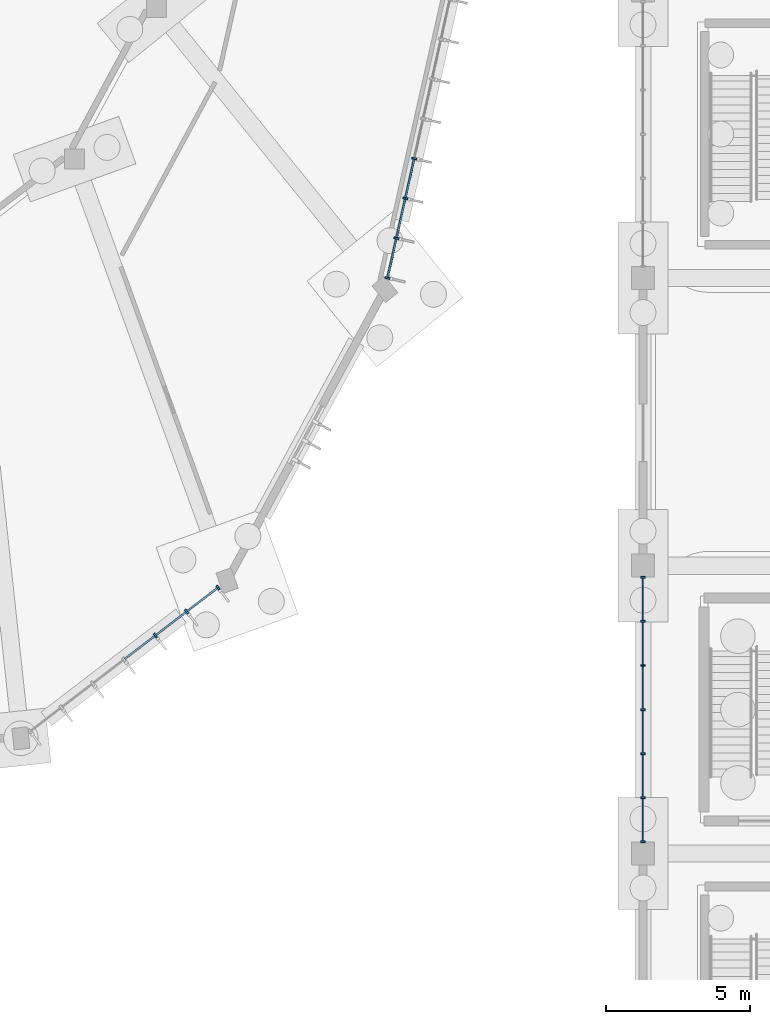
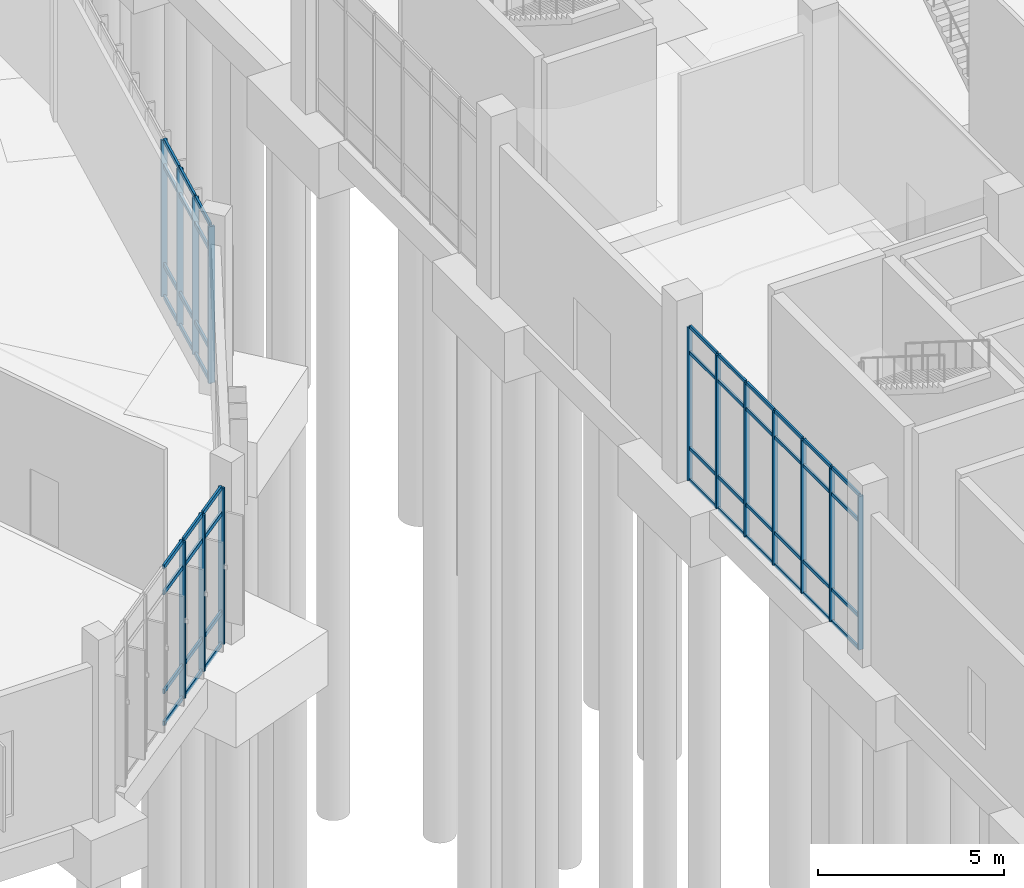
# One storey, part 43 of 140: 62 members, 3 elements without a shape of their own.
"""IFC4 building model written with IfcOpenShell, lengths in metres."""

from ifc_helpers import new_model, si_unit, direction, frame, origin, origin_2d, place, context, subcontext, project, spatial, rectangle, extrude, material, layer, layer_set, material_profile, profile_set, type_object, element, aggregate, save


model = new_model("IFC4")

# Units and contexts
model_context = context("Model", 3, precision=1e-05, world=origin(), true_north=direction((0.0, 1.0)))
body_context = subcontext(model_context, "Body", "Model", "MODEL_VIEW")
ifc_project = project(units=[si_unit("LENGTHUNIT", "METRE"), si_unit("AREAUNIT", "SQUARE_METRE"), si_unit("VOLUMEUNIT", "CUBIC_METRE"), si_unit("PLANEANGLEUNIT", "RADIAN"), si_unit("MASSUNIT", "GRAM", prefix="KILO")], contexts=[model_context])

# Site, building, storey
site_placement = place(None, origin())
site = spatial("IfcSite", under=ifc_project, at=site_placement, CompositionType="ELEMENT")
building_placement = place(site_placement, origin())
building = spatial("IfcBuilding", under=site, at=building_placement, Name="Corvandel Quay Wholesale Market", CompositionType="ELEMENT")
storey_placement = place(building_placement, origin())
storey = spatial("IfcBuildingStorey", under=building, at=storey_placement, Name="L00", CompositionType="ELEMENT", Elevation=0.0)

# Curtain wall, members
ifc_material_1 = material(Name="Bronze anodised aluminium and low-E insulated glazing", Category="aluminium")
ifc_layer_1 = layer(ifc_material_1, 0.197998046875)
ifc_layer_set_1 = layer_set([ifc_layer_1], Name="Bronze anodised aluminium and low-E insulated glazing")
curtain_wall_type_1 = type_object("IfcCurtainWallType", Name="Stick Curtain Wall System CW14 H4260", PredefinedType="NOTDEFINED", material=ifc_layer_set_1)
curtain_wall_1_placement = place(storey_placement, origin())
curtain_wall_1 = element("IfcCurtainWall", 1, at=curtain_wall_1_placement, inside=storey, type_object=curtain_wall_type_1, Name="Curtain Wall CW-0139", PredefinedType="NOTDEFINED")
ifc_material_2 = material(Name="Anodised aluminium 6063-T6", Category="aluminium")
ifc_material_profile_1 = material_profile(ifc_material_2, rectangle(XDim=0.06494140625, YDim=0.179931640625, at=origin_2d()), Name="ALU-MUL-65x180")
ifc_profile_set_1 = profile_set([ifc_material_profile_1], Name="Anodised aluminium 6063-T6")
member_type_1 = type_object("IfcMemberType", Name="Curtain Wall Mullion ML01 65x180", PredefinedType="MULLION", material=ifc_profile_set_1)
member_1_placement = place(storey_placement, frame((203.051025390625, 27.572998046875, 0.0), z_axis=(0.0, 0.0, 1.0), x_axis=(0.794308601354, 0.607514481979, 0.0)))
member_1 = element("IfcMember", 2, at=member_1_placement, type_object=member_type_1, Name="Mullion CW-0139-M04", PredefinedType="MULLION", context=body_context, shape_type="SweptSolid", body=[
    extrude(rectangle(XDim=0.06494140625, YDim=0.179931640625, at=origin_2d()), origin(), (0.0, 0.0, 1.0), 5.14990234375),
])
member_2_placement = place(storey_placement, frame((204.1396484375, 28.405517578125, 0.0), z_axis=(0.0, 0.0, 1.0), x_axis=(0.794308601354, 0.607514481979, 0.0)))
member_2 = element("IfcMember", 3, at=member_2_placement, type_object=member_type_1, Name="Mullion CW-0139-M05", PredefinedType="MULLION", context=body_context, shape_type="SweptSolid", body=[
    extrude(rectangle(XDim=0.06494140625, YDim=0.179931640625, at=origin_2d()), origin(), (0.0, 0.0, 1.0), 5.14990234375),
])
member_3_placement = place(storey_placement, frame((205.228271484375, 29.238037109375, 0.0), z_axis=(0.0, 0.0, 1.0), x_axis=(0.794308601354, 0.607514481979, 0.0)))
member_3 = element("IfcMember", 4, at=member_3_placement, type_object=member_type_1, Name="Mullion CW-0139-M06", PredefinedType="MULLION", context=body_context, shape_type="SweptSolid", body=[
    extrude(rectangle(XDim=0.06494140625, YDim=0.179931640625, at=origin_2d()), origin(), (0.0, 0.0, 1.0), 5.14990234375),
])

ifc_layer_2 = layer(ifc_material_1, 0.162109375)
ifc_layer_set_2 = layer_set([ifc_layer_2], Name="Bronze anodised aluminium and low-E insulated glazing")
curtain_wall_type_2 = type_object("IfcCurtainWallType", Name="Stick Curtain Wall System CW16 H4440", PredefinedType="NOTDEFINED", material=ifc_layer_set_2)
curtain_wall_2_placement = place(storey_placement, origin())
curtain_wall_2 = element("IfcCurtainWall", 5, at=curtain_wall_2_placement, inside=storey, type_object=curtain_wall_type_2, Name="Curtain Wall CW-0141", PredefinedType="NOTDEFINED")
member_4_placement = place(storey_placement, frame((211.11865234375, 39.998291015625, 0.0), z_axis=(0.0, 0.0, 1.0), x_axis=(0.218994806262, 0.975726024471, 0.0)))
member_4 = element("IfcMember", 6, at=member_4_placement, type_object=member_type_1, Name="Mullion CW-0141-M00", PredefinedType="MULLION", context=body_context, shape_type="SweptSolid", body=[
    extrude(rectangle(XDim=0.06494140625, YDim=0.179931640625, at=origin_2d()), origin(), (0.0, 0.0, 1.0), 5.14990234375),
])
member_5_placement = place(storey_placement, frame((211.428955078125, 41.381591796875, 0.0), z_axis=(0.0, 0.0, 1.0), x_axis=(0.218994806262, 0.975726024471, 0.0)))
member_5 = element("IfcMember", 7, at=member_5_placement, type_object=member_type_1, Name="Mullion CW-0141-M01", PredefinedType="MULLION", context=body_context, shape_type="SweptSolid", body=[
    extrude(rectangle(XDim=0.06494140625, YDim=0.179931640625, at=origin_2d()), origin(), (0.0, 0.0, 1.0), 5.14990234375),
])
member_6_placement = place(storey_placement, frame((211.739501953125, 42.76513671875, 0.0), z_axis=(0.0, 0.0, 1.0), x_axis=(0.218994806262, 0.975726024471, 0.0)))
member_6 = element("IfcMember", 8, at=member_6_placement, type_object=member_type_1, Name="Mullion CW-0141-M02", PredefinedType="MULLION", context=body_context, shape_type="SweptSolid", body=[
    extrude(rectangle(XDim=0.06494140625, YDim=0.179931640625, at=origin_2d()), origin(), (0.0, 0.0, 1.0), 5.14990234375),
])
member_7_placement = place(storey_placement, frame((212.0498046875, 44.1484375, 0.0), z_axis=(0.0, 0.0, 1.0), x_axis=(0.218994806262, 0.975726024471, 0.0)))
member_7 = element("IfcMember", 9, at=member_7_placement, type_object=member_type_1, Name="Mullion CW-0141-M03", PredefinedType="MULLION", context=body_context, shape_type="SweptSolid", body=[
    extrude(rectangle(XDim=0.06494140625, YDim=0.179931640625, at=origin_2d()), origin(), (0.0, 0.0, 1.0), 5.14990234375),
])

ifc_layer_3 = layer(ifc_material_1, 0.14990234375)
ifc_layer_set_3 = layer_set([ifc_layer_3], Name="Bronze anodised aluminium and low-E insulated glazing")
curtain_wall_type_3 = type_object("IfcCurtainWallType", Name="Stick Curtain Wall System CW20 H4800", PredefinedType="NOTDEFINED", material=ifc_layer_set_3)
curtain_wall_3_placement = place(storey_placement, origin())
curtain_wall_3 = element("IfcCurtainWall", 10, at=curtain_wall_3_placement, inside=storey, type_object=curtain_wall_type_3, Name="Curtain Wall CW-0142", PredefinedType="NOTDEFINED")
ifc_material_profile_2 = material_profile(ifc_material_2, rectangle(XDim=0.06494140625, YDim=0.14990234375, at=origin_2d()), Name="ALU-MUL-65x150")
ifc_profile_set_2 = profile_set([ifc_material_profile_2], Name="Anodised aluminium 6063-T6")
member_type_2 = type_object("IfcMemberType", Name="Curtain Wall Mullion ML02 65x150", PredefinedType="MULLION", material=ifc_profile_set_2)
member_8_placement = place(storey_placement, frame((220.0, 20.39990234375, 0.0), z_axis=(0.0, 0.0, 1.0), x_axis=(0.0, 1.0, 0.0)))
member_8 = element("IfcMember", 11, at=member_8_placement, type_object=member_type_2, Name="Mullion CW-0142-M00", PredefinedType="MULLION", context=body_context, shape_type="SweptSolid", body=[
    extrude(rectangle(XDim=0.06494140625, YDim=0.14990234375, at=origin_2d()), origin(), (0.0, 0.0, 1.0), 5.050048828125),
])
member_9_placement = place(storey_placement, frame((220.0, 21.933349609375, 0.0), z_axis=(0.0, 0.0, 1.0), x_axis=(0.0, 1.0, 0.0)))
member_9 = element("IfcMember", 12, at=member_9_placement, type_object=member_type_2, Name="Mullion CW-0142-M01", PredefinedType="MULLION", context=body_context, shape_type="SweptSolid", body=[
    extrude(rectangle(XDim=0.06494140625, YDim=0.14990234375, at=origin_2d()), origin(), (0.0, 0.0, 1.0), 5.050048828125),
])
member_10_placement = place(storey_placement, frame((220.0, 23.466796875, 0.0), z_axis=(0.0, 0.0, 1.0), x_axis=(0.0, 1.0, 0.0)))
member_10 = element("IfcMember", 13, at=member_10_placement, type_object=member_type_2, Name="Mullion CW-0142-M02", PredefinedType="MULLION", context=body_context, shape_type="SweptSolid", body=[
    extrude(rectangle(XDim=0.06494140625, YDim=0.14990234375, at=origin_2d()), origin(), (0.0, 0.0, 1.0), 5.050048828125),
])
member_11_placement = place(storey_placement, frame((220.0, 25.0, 0.0), z_axis=(0.0, 0.0, 1.0), x_axis=(0.0, 1.0, 0.0)))
member_11 = element("IfcMember", 14, at=member_11_placement, type_object=member_type_2, Name="Mullion CW-0142-M03", PredefinedType="MULLION", context=body_context, shape_type="SweptSolid", body=[
    extrude(rectangle(XDim=0.06494140625, YDim=0.14990234375, at=origin_2d()), origin(), (0.0, 0.0, 1.0), 5.050048828125),
])
member_12_placement = place(storey_placement, frame((220.0, 26.533203125, 0.0), z_axis=(0.0, 0.0, 1.0), x_axis=(0.0, 1.0, 0.0)))
member_12 = element("IfcMember", 15, at=member_12_placement, type_object=member_type_2, Name="Mullion CW-0142-M04", PredefinedType="MULLION", context=body_context, shape_type="SweptSolid", body=[
    extrude(rectangle(XDim=0.06494140625, YDim=0.14990234375, at=origin_2d()), origin(), (0.0, 0.0, 1.0), 5.050048828125),
])
member_13_placement = place(storey_placement, frame((220.0, 28.066650390625, 0.0), z_axis=(0.0, 0.0, 1.0), x_axis=(0.0, 1.0, 0.0)))
member_13 = element("IfcMember", 16, at=member_13_placement, type_object=member_type_2, Name="Mullion CW-0142-M05", PredefinedType="MULLION", context=body_context, shape_type="SweptSolid", body=[
    extrude(rectangle(XDim=0.06494140625, YDim=0.14990234375, at=origin_2d()), origin(), (0.0, 0.0, 1.0), 5.050048828125),
])
member_14_placement = place(storey_placement, frame((220.0, 29.60009765625, 0.0), z_axis=(0.0, 0.0, 1.0), x_axis=(0.0, 1.0, 0.0)))
member_14 = element("IfcMember", 17, at=member_14_placement, type_object=member_type_2, Name="Mullion CW-0142-M06", PredefinedType="MULLION", context=body_context, shape_type="SweptSolid", body=[
    extrude(rectangle(XDim=0.06494140625, YDim=0.14990234375, at=origin_2d()), origin(), (0.0, 0.0, 1.0), 5.050048828125),
])

# Member
ifc_material_profile_3 = material_profile(ifc_material_2, rectangle(XDim=0.06494140625, YDim=0.139892578125, at=origin_2d()), Name="ALU-TRN-65x140")
ifc_profile_set_3 = profile_set([ifc_material_profile_3], Name="Anodised aluminium 6063-T6")
member_type_3 = type_object("IfcMemberType", Name="Curtain Wall Transom TR01 65x140", PredefinedType="USERDEFINED", material=ifc_profile_set_3)
member_15_placement = place(storey_placement, frame((201.98828125, 26.76025390625, 0.0), z_axis=(0.794400295217, 0.607394576004, 0.0), x_axis=(-0.607394576004, 0.794400295217, 0.0)))
member_15 = element("IfcMember", 18, at=member_15_placement, type_object=member_type_3, Name="Transom CW-0139-T03-0", ObjectType="TRANSOM", PredefinedType="USERDEFINED", context=body_context, shape_type="SweptSolid", body=[
    extrude(rectangle(XDim=0.06494140625, YDim=0.139892578125, at=origin_2d()), origin(), (0.0, 0.0, 1.0), 1.305419921875),
])

member_16_placement = place(storey_placement, frame((201.98828125, 26.76025390625, 1.050048828125), z_axis=(0.794400295217, 0.607394576004, 0.0), x_axis=(-0.607394576004, 0.794400295217, 0.0)))
member_16 = element("IfcMember", 19, at=member_16_placement, type_object=member_type_3, Name="Transom CW-0139-T03-1", ObjectType="TRANSOM", PredefinedType="USERDEFINED", context=body_context, shape_type="SweptSolid", body=[
    extrude(rectangle(XDim=0.06494140625, YDim=0.139892578125, at=origin_2d()), origin(), (0.0, 0.0, 1.0), 1.305419921875),
])

member_17_placement = place(storey_placement, frame((201.98828125, 26.76025390625, 4.300048828125), z_axis=(0.794400295217, 0.607394576004, 0.0), x_axis=(-0.607394576004, 0.794400295217, 0.0)))
member_17 = element("IfcMember", 20, at=member_17_placement, type_object=member_type_3, Name="Transom CW-0139-T03-2", ObjectType="TRANSOM", PredefinedType="USERDEFINED", context=body_context, shape_type="SweptSolid", body=[
    extrude(rectangle(XDim=0.06494140625, YDim=0.139892578125, at=origin_2d()), origin(), (0.0, 0.0, 1.0), 1.305419921875),
])

member_18_placement = place(storey_placement, frame((201.98828125, 26.76025390625, 5.14990234375), z_axis=(0.794400295217, 0.607394576004, 0.0), x_axis=(-0.607394576004, 0.794400295217, 0.0)))
member_18 = element("IfcMember", 21, at=member_18_placement, type_object=member_type_3, Name="Transom CW-0139-T03-3", ObjectType="TRANSOM", PredefinedType="USERDEFINED", context=body_context, shape_type="SweptSolid", body=[
    extrude(rectangle(XDim=0.06494140625, YDim=0.139892578125, at=origin_2d()), origin(), (0.0, 0.0, 1.0), 1.305419921875),
])

member_19_placement = place(storey_placement, frame((203.076904296875, 27.5927734375, 0.0), z_axis=(0.794331288163, 0.607484818449, 0.0), x_axis=(-0.607484818449, 0.794331288163, 0.0)))
member_19 = element("IfcMember", 22, at=member_19_placement, type_object=member_type_3, Name="Transom CW-0139-T04-0", ObjectType="TRANSOM", PredefinedType="USERDEFINED", context=body_context, shape_type="SweptSolid", body=[
    extrude(rectangle(XDim=0.06494140625, YDim=0.139892578125, at=origin_2d()), origin(), (0.0, 0.0, 1.0), 1.305419921875),
])

member_20_placement = place(storey_placement, frame((203.076904296875, 27.5927734375, 1.050048828125), z_axis=(0.794331288163, 0.607484818449, 0.0), x_axis=(-0.607484818449, 0.794331288163, 0.0)))
member_20 = element("IfcMember", 23, at=member_20_placement, type_object=member_type_3, Name="Transom CW-0139-T04-1", ObjectType="TRANSOM", PredefinedType="USERDEFINED", context=body_context, shape_type="SweptSolid", body=[
    extrude(rectangle(XDim=0.06494140625, YDim=0.139892578125, at=origin_2d()), origin(), (0.0, 0.0, 1.0), 1.305419921875),
])

member_21_placement = place(storey_placement, frame((203.076904296875, 27.5927734375, 4.300048828125), z_axis=(0.794331288163, 0.607484818449, 0.0), x_axis=(-0.607484818449, 0.794331288163, 0.0)))
member_21 = element("IfcMember", 24, at=member_21_placement, type_object=member_type_3, Name="Transom CW-0139-T04-2", ObjectType="TRANSOM", PredefinedType="USERDEFINED", context=body_context, shape_type="SweptSolid", body=[
    extrude(rectangle(XDim=0.06494140625, YDim=0.139892578125, at=origin_2d()), origin(), (0.0, 0.0, 1.0), 1.305419921875),
])

member_22_placement = place(storey_placement, frame((203.076904296875, 27.5927734375, 5.14990234375), z_axis=(0.794331288163, 0.607484818449, 0.0), x_axis=(-0.607484818449, 0.794331288163, 0.0)))
member_22 = element("IfcMember", 25, at=member_22_placement, type_object=member_type_3, Name="Transom CW-0139-T04-3", ObjectType="TRANSOM", PredefinedType="USERDEFINED", context=body_context, shape_type="SweptSolid", body=[
    extrude(rectangle(XDim=0.06494140625, YDim=0.139892578125, at=origin_2d()), origin(), (0.0, 0.0, 1.0), 1.305419921875),
])

member_23_placement = place(storey_placement, frame((204.165283203125, 28.42529296875, 0.0), z_axis=(0.794310063744, 0.60751256994, 0.0), x_axis=(-0.60751256994, 0.794310063744, 0.0)))
member_23 = element("IfcMember", 26, at=member_23_placement, type_object=member_type_3, Name="Transom CW-0139-T05-0", ObjectType="TRANSOM", PredefinedType="USERDEFINED", context=body_context, shape_type="SweptSolid", body=[
    extrude(rectangle(XDim=0.06494140625, YDim=0.139892578125, at=origin_2d()), origin(), (0.0, 0.0, 1.0), 1.3056640625),
])

member_24_placement = place(storey_placement, frame((204.165283203125, 28.42529296875, 1.050048828125), z_axis=(0.794310063744, 0.60751256994, 0.0), x_axis=(-0.60751256994, 0.794310063744, 0.0)))
member_24 = element("IfcMember", 27, at=member_24_placement, type_object=member_type_3, Name="Transom CW-0139-T05-1", ObjectType="TRANSOM", PredefinedType="USERDEFINED", context=body_context, shape_type="SweptSolid", body=[
    extrude(rectangle(XDim=0.06494140625, YDim=0.139892578125, at=origin_2d()), origin(), (0.0, 0.0, 1.0), 1.3056640625),
])

member_25_placement = place(storey_placement, frame((204.165283203125, 28.42529296875, 4.300048828125), z_axis=(0.794310063744, 0.60751256994, 0.0), x_axis=(-0.60751256994, 0.794310063744, 0.0)))
member_25 = element("IfcMember", 28, at=member_25_placement, type_object=member_type_3, Name="Transom CW-0139-T05-2", ObjectType="TRANSOM", PredefinedType="USERDEFINED", context=body_context, shape_type="SweptSolid", body=[
    extrude(rectangle(XDim=0.06494140625, YDim=0.139892578125, at=origin_2d()), origin(), (0.0, 0.0, 1.0), 1.3056640625),
])

member_26_placement = place(storey_placement, frame((204.165283203125, 28.42529296875, 5.14990234375), z_axis=(0.794310063744, 0.60751256994, 0.0), x_axis=(-0.60751256994, 0.794310063744, 0.0)))
member_26 = element("IfcMember", 29, at=member_26_placement, type_object=member_type_3, Name="Transom CW-0139-T05-3", ObjectType="TRANSOM", PredefinedType="USERDEFINED", context=body_context, shape_type="SweptSolid", body=[
    extrude(rectangle(XDim=0.06494140625, YDim=0.139892578125, at=origin_2d()), origin(), (0.0, 0.0, 1.0), 1.3056640625),
])

aggregate(curtain_wall_1, [member_1, member_2, member_3, member_15, member_16, member_17, member_18, member_19, member_20, member_21, member_22, member_23, member_24, member_25, member_26])

member_27_placement = place(storey_placement, frame((211.125732421875, 40.030029296875, 0.0), z_axis=(0.2188980935, 0.975747725932, 0.0), x_axis=(-0.975747725932, 0.2188980935, 0.0)))
member_27 = element("IfcMember", 30, at=member_27_placement, type_object=member_type_3, Name="Transom CW-0141-T00-0", ObjectType="TRANSOM", PredefinedType="USERDEFINED", context=body_context, shape_type="SweptSolid", body=[
    extrude(rectangle(XDim=0.06494140625, YDim=0.139892578125, at=origin_2d()), origin(), (0.0, 0.0, 1.0), 1.352783203125),
])

member_28_placement = place(storey_placement, frame((211.125732421875, 40.030029296875, 1.050048828125), z_axis=(0.2188980935, 0.975747725932, 0.0), x_axis=(-0.975747725932, 0.2188980935, 0.0)))
member_28 = element("IfcMember", 31, at=member_28_placement, type_object=member_type_3, Name="Transom CW-0141-T00-1", ObjectType="TRANSOM", PredefinedType="USERDEFINED", context=body_context, shape_type="SweptSolid", body=[
    extrude(rectangle(XDim=0.06494140625, YDim=0.139892578125, at=origin_2d()), origin(), (0.0, 0.0, 1.0), 1.352783203125),
])

member_29_placement = place(storey_placement, frame((211.125732421875, 40.030029296875, 4.300048828125), z_axis=(0.2188980935, 0.975747725932, 0.0), x_axis=(-0.975747725932, 0.2188980935, 0.0)))
member_29 = element("IfcMember", 32, at=member_29_placement, type_object=member_type_3, Name="Transom CW-0141-T00-2", ObjectType="TRANSOM", PredefinedType="USERDEFINED", context=body_context, shape_type="SweptSolid", body=[
    extrude(rectangle(XDim=0.06494140625, YDim=0.139892578125, at=origin_2d()), origin(), (0.0, 0.0, 1.0), 1.352783203125),
])

member_30_placement = place(storey_placement, frame((211.125732421875, 40.030029296875, 5.14990234375), z_axis=(0.2188980935, 0.975747725932, 0.0), x_axis=(-0.975747725932, 0.2188980935, 0.0)))
member_30 = element("IfcMember", 33, at=member_30_placement, type_object=member_type_3, Name="Transom CW-0141-T00-3", ObjectType="TRANSOM", PredefinedType="USERDEFINED", context=body_context, shape_type="SweptSolid", body=[
    extrude(rectangle(XDim=0.06494140625, YDim=0.139892578125, at=origin_2d()), origin(), (0.0, 0.0, 1.0), 1.352783203125),
])

member_31_placement = place(storey_placement, frame((211.43603515625, 41.413330078125, 0.0), z_axis=(0.219069896418, 0.975709167982, 0.0), x_axis=(-0.975709167982, 0.219069896418, 0.0)))
member_31 = element("IfcMember", 34, at=member_31_placement, type_object=member_type_3, Name="Transom CW-0141-T01-0", ObjectType="TRANSOM", PredefinedType="USERDEFINED", context=body_context, shape_type="SweptSolid", body=[
    extrude(rectangle(XDim=0.06494140625, YDim=0.139892578125, at=origin_2d()), origin(), (0.0, 0.0, 1.0), 1.35302734375),
])

member_32_placement = place(storey_placement, frame((211.43603515625, 41.413330078125, 1.050048828125), z_axis=(0.219069896418, 0.975709167982, 0.0), x_axis=(-0.975709167982, 0.219069896418, 0.0)))
member_32 = element("IfcMember", 35, at=member_32_placement, type_object=member_type_3, Name="Transom CW-0141-T01-1", ObjectType="TRANSOM", PredefinedType="USERDEFINED", context=body_context, shape_type="SweptSolid", body=[
    extrude(rectangle(XDim=0.06494140625, YDim=0.139892578125, at=origin_2d()), origin(), (0.0, 0.0, 1.0), 1.35302734375),
])

member_33_placement = place(storey_placement, frame((211.43603515625, 41.413330078125, 4.300048828125), z_axis=(0.219069896418, 0.975709167982, 0.0), x_axis=(-0.975709167982, 0.219069896418, 0.0)))
member_33 = element("IfcMember", 36, at=member_33_placement, type_object=member_type_3, Name="Transom CW-0141-T01-2", ObjectType="TRANSOM", PredefinedType="USERDEFINED", context=body_context, shape_type="SweptSolid", body=[
    extrude(rectangle(XDim=0.06494140625, YDim=0.139892578125, at=origin_2d()), origin(), (0.0, 0.0, 1.0), 1.35302734375),
])

member_34_placement = place(storey_placement, frame((211.43603515625, 41.413330078125, 5.14990234375), z_axis=(0.219069896418, 0.975709167982, 0.0), x_axis=(-0.975709167982, 0.219069896418, 0.0)))
member_34 = element("IfcMember", 37, at=member_34_placement, type_object=member_type_3, Name="Transom CW-0141-T01-3", ObjectType="TRANSOM", PredefinedType="USERDEFINED", context=body_context, shape_type="SweptSolid", body=[
    extrude(rectangle(XDim=0.06494140625, YDim=0.139892578125, at=origin_2d()), origin(), (0.0, 0.0, 1.0), 1.35302734375),
])

member_35_placement = place(storey_placement, frame((211.74658203125, 42.796875, 0.0), z_axis=(0.218936644466, 0.975739076654, 0.0), x_axis=(-0.975739076654, 0.218936644466, 0.0)))
member_35 = element("IfcMember", 38, at=member_35_placement, type_object=member_type_3, Name="Transom CW-0141-T02-0", ObjectType="TRANSOM", PredefinedType="USERDEFINED", context=body_context, shape_type="SweptSolid", body=[
    extrude(rectangle(XDim=0.06494140625, YDim=0.139892578125, at=origin_2d()), origin(), (0.0, 0.0, 1.0), 1.3525390625),
])

member_36_placement = place(storey_placement, frame((211.74658203125, 42.796875, 1.050048828125), z_axis=(0.218936644466, 0.975739076654, 0.0), x_axis=(-0.975739076654, 0.218936644466, 0.0)))
member_36 = element("IfcMember", 39, at=member_36_placement, type_object=member_type_3, Name="Transom CW-0141-T02-1", ObjectType="TRANSOM", PredefinedType="USERDEFINED", context=body_context, shape_type="SweptSolid", body=[
    extrude(rectangle(XDim=0.06494140625, YDim=0.139892578125, at=origin_2d()), origin(), (0.0, 0.0, 1.0), 1.3525390625),
])

member_37_placement = place(storey_placement, frame((211.74658203125, 42.796875, 4.300048828125), z_axis=(0.218936644466, 0.975739076654, 0.0), x_axis=(-0.975739076654, 0.218936644466, 0.0)))
member_37 = element("IfcMember", 40, at=member_37_placement, type_object=member_type_3, Name="Transom CW-0141-T02-2", ObjectType="TRANSOM", PredefinedType="USERDEFINED", context=body_context, shape_type="SweptSolid", body=[
    extrude(rectangle(XDim=0.06494140625, YDim=0.139892578125, at=origin_2d()), origin(), (0.0, 0.0, 1.0), 1.3525390625),
])

member_38_placement = place(storey_placement, frame((211.74658203125, 42.796875, 5.14990234375), z_axis=(0.218936644466, 0.975739076654, 0.0), x_axis=(-0.975739076654, 0.218936644466, 0.0)))
member_38 = element("IfcMember", 41, at=member_38_placement, type_object=member_type_3, Name="Transom CW-0141-T02-3", ObjectType="TRANSOM", PredefinedType="USERDEFINED", context=body_context, shape_type="SweptSolid", body=[
    extrude(rectangle(XDim=0.06494140625, YDim=0.139892578125, at=origin_2d()), origin(), (0.0, 0.0, 1.0), 1.3525390625),
])

aggregate(curtain_wall_2, [member_4, member_5, member_6, member_7, member_27, member_28, member_29, member_30, member_31, member_32, member_33, member_34, member_35, member_36, member_37, member_38])

ifc_material_profile_4 = material_profile(ifc_material_2, rectangle(XDim=0.06005859375, YDim=0.110107421875, at=origin_2d()), Name="ALU-TRN-60x110")
ifc_profile_set_4 = profile_set([ifc_material_profile_4], Name="Anodised aluminium 6063-T6")
member_type_4 = type_object("IfcMemberType", Name="Curtain Wall Transom TR02 60x110", PredefinedType="USERDEFINED", material=ifc_profile_set_4)
member_39_placement = place(storey_placement, frame((220.0, 20.4326171875, 0.0), z_axis=(0.0, 1.0, 0.0), x_axis=(-1.0, 0.0, 0.0)))
member_39 = element("IfcMember", 42, at=member_39_placement, type_object=member_type_4, Name="Transom CW-0142-T00-0", ObjectType="TRANSOM", PredefinedType="USERDEFINED", context=body_context, shape_type="SweptSolid", body=[
    extrude(rectangle(XDim=0.06005859375, YDim=0.110107421875, at=origin_2d()), origin(), (0.0, 0.0, 1.0), 1.46826171875),
])

member_40_placement = place(storey_placement, frame((220.0, 20.4326171875, 1.050048828125), z_axis=(0.0, 1.0, 0.0), x_axis=(-1.0, 0.0, 0.0)))
member_40 = element("IfcMember", 43, at=member_40_placement, type_object=member_type_4, Name="Transom CW-0142-T00-1", ObjectType="TRANSOM", PredefinedType="USERDEFINED", context=body_context, shape_type="SweptSolid", body=[
    extrude(rectangle(XDim=0.06005859375, YDim=0.110107421875, at=origin_2d()), origin(), (0.0, 0.0, 1.0), 1.46826171875),
])

member_41_placement = place(storey_placement, frame((220.0, 20.4326171875, 4.199951171875), z_axis=(0.0, 1.0, 0.0), x_axis=(-1.0, 0.0, 0.0)))
member_41 = element("IfcMember", 44, at=member_41_placement, type_object=member_type_4, Name="Transom CW-0142-T00-2", ObjectType="TRANSOM", PredefinedType="USERDEFINED", context=body_context, shape_type="SweptSolid", body=[
    extrude(rectangle(XDim=0.06005859375, YDim=0.110107421875, at=origin_2d()), origin(), (0.0, 0.0, 1.0), 1.46826171875),
])

member_42_placement = place(storey_placement, frame((220.0, 20.4326171875, 5.050048828125), z_axis=(0.0, 1.0, 0.0), x_axis=(-1.0, 0.0, 0.0)))
member_42 = element("IfcMember", 45, at=member_42_placement, type_object=member_type_4, Name="Transom CW-0142-T00-3", ObjectType="TRANSOM", PredefinedType="USERDEFINED", context=body_context, shape_type="SweptSolid", body=[
    extrude(rectangle(XDim=0.06005859375, YDim=0.110107421875, at=origin_2d()), origin(), (0.0, 0.0, 1.0), 1.46826171875),
])

member_43_placement = place(storey_placement, frame((220.0, 21.9658203125, 0.0), z_axis=(0.0, 1.0, 0.0), x_axis=(-1.0, 0.0, 0.0)))
member_43 = element("IfcMember", 46, at=member_43_placement, type_object=member_type_4, Name="Transom CW-0142-T01-0", ObjectType="TRANSOM", PredefinedType="USERDEFINED", context=body_context, shape_type="SweptSolid", body=[
    extrude(rectangle(XDim=0.06005859375, YDim=0.110107421875, at=origin_2d()), origin(), (0.0, 0.0, 1.0), 1.46826171875),
])

member_44_placement = place(storey_placement, frame((220.0, 21.9658203125, 1.050048828125), z_axis=(0.0, 1.0, 0.0), x_axis=(-1.0, 0.0, 0.0)))
member_44 = element("IfcMember", 47, at=member_44_placement, type_object=member_type_4, Name="Transom CW-0142-T01-1", ObjectType="TRANSOM", PredefinedType="USERDEFINED", context=body_context, shape_type="SweptSolid", body=[
    extrude(rectangle(XDim=0.06005859375, YDim=0.110107421875, at=origin_2d()), origin(), (0.0, 0.0, 1.0), 1.46826171875),
])

member_45_placement = place(storey_placement, frame((220.0, 21.9658203125, 4.199951171875), z_axis=(0.0, 1.0, 0.0), x_axis=(-1.0, 0.0, 0.0)))
member_45 = element("IfcMember", 48, at=member_45_placement, type_object=member_type_4, Name="Transom CW-0142-T01-2", ObjectType="TRANSOM", PredefinedType="USERDEFINED", context=body_context, shape_type="SweptSolid", body=[
    extrude(rectangle(XDim=0.06005859375, YDim=0.110107421875, at=origin_2d()), origin(), (0.0, 0.0, 1.0), 1.46826171875),
])

member_46_placement = place(storey_placement, frame((220.0, 21.9658203125, 5.050048828125), z_axis=(0.0, 1.0, 0.0), x_axis=(-1.0, 0.0, 0.0)))
member_46 = element("IfcMember", 49, at=member_46_placement, type_object=member_type_4, Name="Transom CW-0142-T01-3", ObjectType="TRANSOM", PredefinedType="USERDEFINED", context=body_context, shape_type="SweptSolid", body=[
    extrude(rectangle(XDim=0.06005859375, YDim=0.110107421875, at=origin_2d()), origin(), (0.0, 0.0, 1.0), 1.46826171875),
])

member_47_placement = place(storey_placement, frame((220.0, 23.499267578125, 0.0), z_axis=(0.0, 1.0, 0.0), x_axis=(-1.0, 0.0, 0.0)))
member_47 = element("IfcMember", 50, at=member_47_placement, type_object=member_type_4, Name="Transom CW-0142-T02-0", ObjectType="TRANSOM", PredefinedType="USERDEFINED", context=body_context, shape_type="SweptSolid", body=[
    extrude(rectangle(XDim=0.06005859375, YDim=0.110107421875, at=origin_2d()), origin(), (0.0, 0.0, 1.0), 1.46826171875),
])

member_48_placement = place(storey_placement, frame((220.0, 23.499267578125, 1.050048828125), z_axis=(0.0, 1.0, 0.0), x_axis=(-1.0, 0.0, 0.0)))
member_48 = element("IfcMember", 51, at=member_48_placement, type_object=member_type_4, Name="Transom CW-0142-T02-1", ObjectType="TRANSOM", PredefinedType="USERDEFINED", context=body_context, shape_type="SweptSolid", body=[
    extrude(rectangle(XDim=0.06005859375, YDim=0.110107421875, at=origin_2d()), origin(), (0.0, 0.0, 1.0), 1.46826171875),
])

member_49_placement = place(storey_placement, frame((220.0, 23.499267578125, 4.199951171875), z_axis=(0.0, 1.0, 0.0), x_axis=(-1.0, 0.0, 0.0)))
member_49 = element("IfcMember", 52, at=member_49_placement, type_object=member_type_4, Name="Transom CW-0142-T02-2", ObjectType="TRANSOM", PredefinedType="USERDEFINED", context=body_context, shape_type="SweptSolid", body=[
    extrude(rectangle(XDim=0.06005859375, YDim=0.110107421875, at=origin_2d()), origin(), (0.0, 0.0, 1.0), 1.46826171875),
])

member_50_placement = place(storey_placement, frame((220.0, 23.499267578125, 5.050048828125), z_axis=(0.0, 1.0, 0.0), x_axis=(-1.0, 0.0, 0.0)))
member_50 = element("IfcMember", 53, at=member_50_placement, type_object=member_type_4, Name="Transom CW-0142-T02-3", ObjectType="TRANSOM", PredefinedType="USERDEFINED", context=body_context, shape_type="SweptSolid", body=[
    extrude(rectangle(XDim=0.06005859375, YDim=0.110107421875, at=origin_2d()), origin(), (0.0, 0.0, 1.0), 1.46826171875),
])

member_51_placement = place(storey_placement, frame((220.0, 25.032470703125, 0.0), z_axis=(0.0, 1.0, 0.0), x_axis=(-1.0, 0.0, 0.0)))
member_51 = element("IfcMember", 54, at=member_51_placement, type_object=member_type_4, Name="Transom CW-0142-T03-0", ObjectType="TRANSOM", PredefinedType="USERDEFINED", context=body_context, shape_type="SweptSolid", body=[
    extrude(rectangle(XDim=0.06005859375, YDim=0.110107421875, at=origin_2d()), origin(), (0.0, 0.0, 1.0), 1.46826171875),
])

member_52_placement = place(storey_placement, frame((220.0, 25.032470703125, 1.050048828125), z_axis=(0.0, 1.0, 0.0), x_axis=(-1.0, 0.0, 0.0)))
member_52 = element("IfcMember", 55, at=member_52_placement, type_object=member_type_4, Name="Transom CW-0142-T03-1", ObjectType="TRANSOM", PredefinedType="USERDEFINED", context=body_context, shape_type="SweptSolid", body=[
    extrude(rectangle(XDim=0.06005859375, YDim=0.110107421875, at=origin_2d()), origin(), (0.0, 0.0, 1.0), 1.46826171875),
])

member_53_placement = place(storey_placement, frame((220.0, 25.032470703125, 4.199951171875), z_axis=(0.0, 1.0, 0.0), x_axis=(-1.0, 0.0, 0.0)))
member_53 = element("IfcMember", 56, at=member_53_placement, type_object=member_type_4, Name="Transom CW-0142-T03-2", ObjectType="TRANSOM", PredefinedType="USERDEFINED", context=body_context, shape_type="SweptSolid", body=[
    extrude(rectangle(XDim=0.06005859375, YDim=0.110107421875, at=origin_2d()), origin(), (0.0, 0.0, 1.0), 1.46826171875),
])

member_54_placement = place(storey_placement, frame((220.0, 25.032470703125, 5.050048828125), z_axis=(0.0, 1.0, 0.0), x_axis=(-1.0, 0.0, 0.0)))
member_54 = element("IfcMember", 57, at=member_54_placement, type_object=member_type_4, Name="Transom CW-0142-T03-3", ObjectType="TRANSOM", PredefinedType="USERDEFINED", context=body_context, shape_type="SweptSolid", body=[
    extrude(rectangle(XDim=0.06005859375, YDim=0.110107421875, at=origin_2d()), origin(), (0.0, 0.0, 1.0), 1.46826171875),
])

member_55_placement = place(storey_placement, frame((220.0, 26.56591796875, 0.0), z_axis=(0.0, 1.0, 0.0), x_axis=(-1.0, 0.0, 0.0)))
member_55 = element("IfcMember", 58, at=member_55_placement, type_object=member_type_4, Name="Transom CW-0142-T04-0", ObjectType="TRANSOM", PredefinedType="USERDEFINED", context=body_context, shape_type="SweptSolid", body=[
    extrude(rectangle(XDim=0.06005859375, YDim=0.110107421875, at=origin_2d()), origin(), (0.0, 0.0, 1.0), 1.46826171875),
])

member_56_placement = place(storey_placement, frame((220.0, 26.56591796875, 1.050048828125), z_axis=(0.0, 1.0, 0.0), x_axis=(-1.0, 0.0, 0.0)))
member_56 = element("IfcMember", 59, at=member_56_placement, type_object=member_type_4, Name="Transom CW-0142-T04-1", ObjectType="TRANSOM", PredefinedType="USERDEFINED", context=body_context, shape_type="SweptSolid", body=[
    extrude(rectangle(XDim=0.06005859375, YDim=0.110107421875, at=origin_2d()), origin(), (0.0, 0.0, 1.0), 1.46826171875),
])

member_57_placement = place(storey_placement, frame((220.0, 26.56591796875, 4.199951171875), z_axis=(0.0, 1.0, 0.0), x_axis=(-1.0, 0.0, 0.0)))
member_57 = element("IfcMember", 60, at=member_57_placement, type_object=member_type_4, Name="Transom CW-0142-T04-2", ObjectType="TRANSOM", PredefinedType="USERDEFINED", context=body_context, shape_type="SweptSolid", body=[
    extrude(rectangle(XDim=0.06005859375, YDim=0.110107421875, at=origin_2d()), origin(), (0.0, 0.0, 1.0), 1.46826171875),
])

member_58_placement = place(storey_placement, frame((220.0, 26.56591796875, 5.050048828125), z_axis=(0.0, 1.0, 0.0), x_axis=(-1.0, 0.0, 0.0)))
member_58 = element("IfcMember", 61, at=member_58_placement, type_object=member_type_4, Name="Transom CW-0142-T04-3", ObjectType="TRANSOM", PredefinedType="USERDEFINED", context=body_context, shape_type="SweptSolid", body=[
    extrude(rectangle(XDim=0.06005859375, YDim=0.110107421875, at=origin_2d()), origin(), (0.0, 0.0, 1.0), 1.46826171875),
])

member_59_placement = place(storey_placement, frame((220.0, 28.09912109375, 0.0), z_axis=(0.0, 1.0, 0.0), x_axis=(-1.0, 0.0, 0.0)))
member_59 = element("IfcMember", 62, at=member_59_placement, type_object=member_type_4, Name="Transom CW-0142-T05-0", ObjectType="TRANSOM", PredefinedType="USERDEFINED", context=body_context, shape_type="SweptSolid", body=[
    extrude(rectangle(XDim=0.06005859375, YDim=0.110107421875, at=origin_2d()), origin(), (0.0, 0.0, 1.0), 1.46826171875),
])

member_60_placement = place(storey_placement, frame((220.0, 28.09912109375, 1.050048828125), z_axis=(0.0, 1.0, 0.0), x_axis=(-1.0, 0.0, 0.0)))
member_60 = element("IfcMember", 63, at=member_60_placement, type_object=member_type_4, Name="Transom CW-0142-T05-1", ObjectType="TRANSOM", PredefinedType="USERDEFINED", context=body_context, shape_type="SweptSolid", body=[
    extrude(rectangle(XDim=0.06005859375, YDim=0.110107421875, at=origin_2d()), origin(), (0.0, 0.0, 1.0), 1.46826171875),
])

member_61_placement = place(storey_placement, frame((220.0, 28.09912109375, 4.199951171875), z_axis=(0.0, 1.0, 0.0), x_axis=(-1.0, 0.0, 0.0)))
member_61 = element("IfcMember", 64, at=member_61_placement, type_object=member_type_4, Name="Transom CW-0142-T05-2", ObjectType="TRANSOM", PredefinedType="USERDEFINED", context=body_context, shape_type="SweptSolid", body=[
    extrude(rectangle(XDim=0.06005859375, YDim=0.110107421875, at=origin_2d()), origin(), (0.0, 0.0, 1.0), 1.46826171875),
])

member_62_placement = place(storey_placement, frame((220.0, 28.09912109375, 5.050048828125), z_axis=(0.0, 1.0, 0.0), x_axis=(-1.0, 0.0, 0.0)))
member_62 = element("IfcMember", 65, at=member_62_placement, type_object=member_type_4, Name="Transom CW-0142-T05-3", ObjectType="TRANSOM", PredefinedType="USERDEFINED", context=body_context, shape_type="SweptSolid", body=[
    extrude(rectangle(XDim=0.06005859375, YDim=0.110107421875, at=origin_2d()), origin(), (0.0, 0.0, 1.0), 1.46826171875),
])

aggregate(curtain_wall_3, [member_8, member_9, member_10, member_11, member_12, member_13, member_14, member_39, member_40, member_41, member_42, member_43, member_44, member_45, member_46, member_47, member_48, member_49, member_50, member_51, member_52, member_53, member_54, member_55, member_56, member_57, member_58, member_59, member_60, member_61, member_62])

save(model, "model.ifc")
